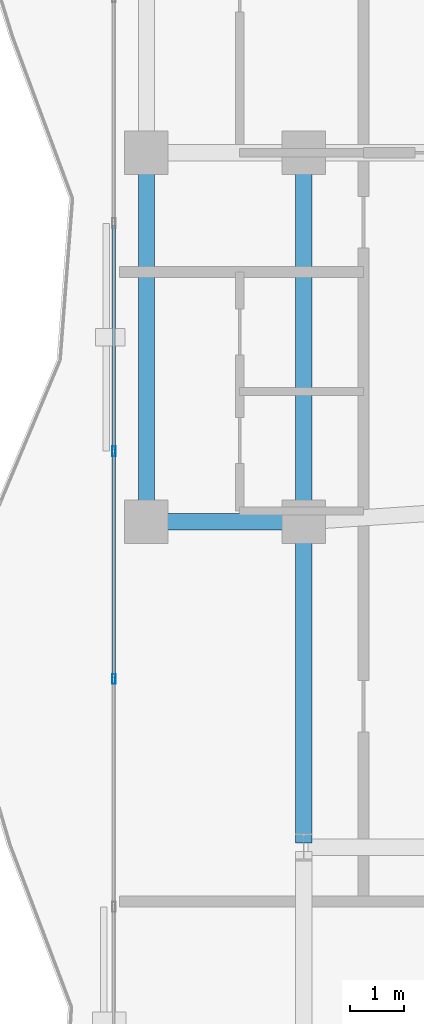
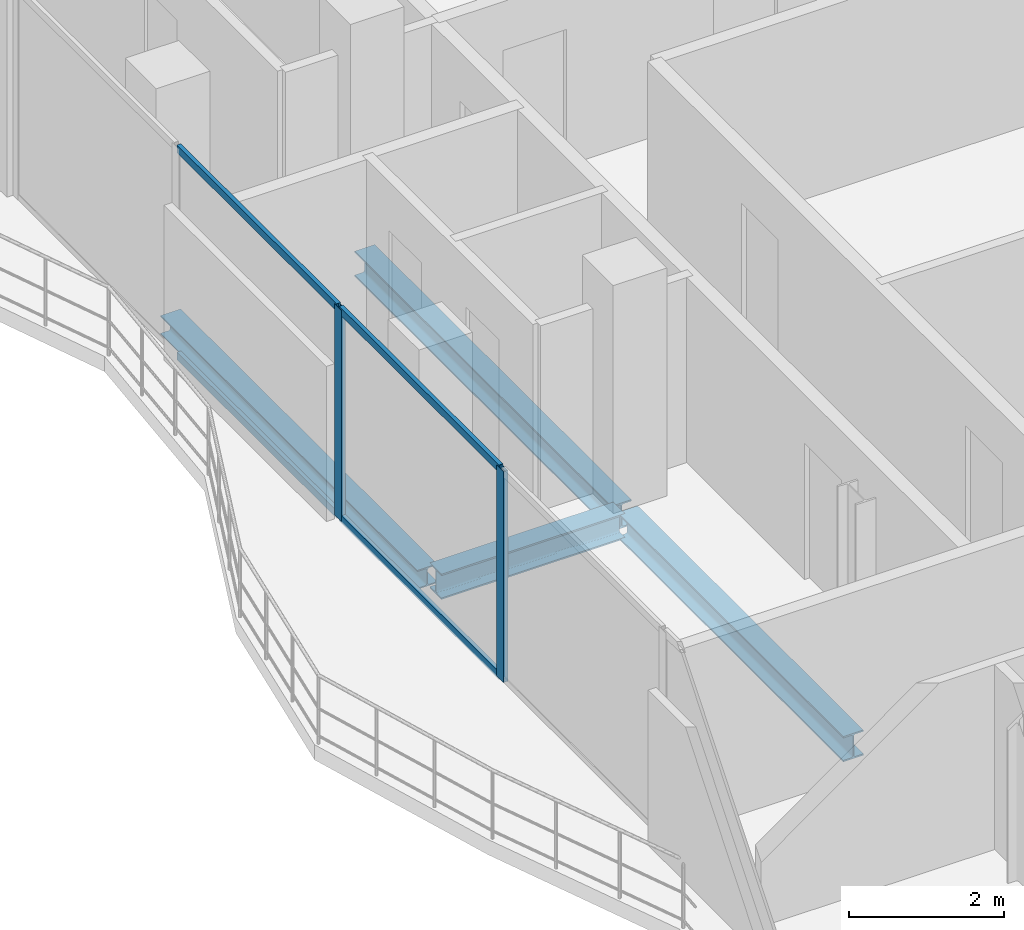
# One storey, part 7 of 23: 6 members, 4 beams, 1 element without a shape of its own.
"""IFC4 building model written with IfcOpenShell, lengths in metres."""

from ifc_helpers import new_model, si_unit, direction, frame, origin, origin_2d, place, context, subcontext, project, spatial, hollow_rectangle, i_section, extrude, material, layer, layer_set, material_profile, profile_set, type_object, element, aggregate, save


model = new_model("IFC4")

# Units and contexts
model_context = context("Model", 3, precision=1e-05, world=origin(), true_north=direction((0.0, 1.0)))
body_context = subcontext(model_context, "Body", "Model", "MODEL_VIEW")
ifc_project = project(units=[si_unit("LENGTHUNIT", "METRE"), si_unit("AREAUNIT", "SQUARE_METRE"), si_unit("VOLUMEUNIT", "CUBIC_METRE"), si_unit("PLANEANGLEUNIT", "RADIAN"), si_unit("MASSUNIT", "GRAM", prefix="KILO")], contexts=[model_context])

# Site, building, storey
site_placement = place(None, origin())
site = spatial("IfcSite", under=ifc_project, at=site_placement, CompositionType="ELEMENT")
building_placement = place(site_placement, origin())
building = spatial("IfcBuilding", under=site, at=building_placement, Name="Catumbela Crestline Tower", CompositionType="ELEMENT")
storey_placement = place(building_placement, frame((0.0, 0.0, 190.2)))
storey = spatial("IfcBuildingStorey", under=building, at=storey_placement, Name="L49", CompositionType="ELEMENT", Elevation=190.2)

# Beams
ifc_material_1 = material(Name="Structural steel S355J2", Category="steel")
ifc_material_profile_1 = material_profile(ifc_material_1, i_section(OverallWidth=0.3, OverallDepth=0.4, WebThickness=0.0135, FlangeThickness=0.024, FilletRadius=0.027, at=origin_2d()), Name="HEB 400")
ifc_profile_set_1 = profile_set([ifc_material_profile_1], Name="Structural steel S355J2")
beam_type_1 = type_object("IfcBeamType", Name="BG-HEB400", PredefinedType="BEAM", material=ifc_profile_set_1)
beam_1_placement = place(storey_placement, frame((5.68, 24.0, -0.46), z_axis=(1.0, 0.0, 0.0), x_axis=(0.0, 1.0, 0.0)))
element("IfcBeam", 1, at=beam_1_placement, inside=storey, type_object=beam_type_1, Name="L49 Beam BM-L49-S01", PredefinedType="BEAM", context=body_context, shape_type="SweptSolid", body=[
    extrude(i_section(OverallWidth=0.3, OverallDepth=0.4, WebThickness=0.0135, FlangeThickness=0.024, FilletRadius=0.027, at=origin_2d()), origin(), (0.0, 0.0, 1.0), 2.74),
])
beam_2_placement = place(storey_placement, frame((8.5, 24.08, -0.46), z_axis=(0.0, 1.0, 0.0), x_axis=(-1.0, 0.0, 0.0)))
element("IfcBeam", 2, at=beam_2_placement, inside=storey, type_object=beam_type_1, Name="L49 Beam BM-L49-SN16", PredefinedType="BEAM", context=body_context, shape_type="SweptSolid", body=[
    extrude(i_section(OverallWidth=0.3, OverallDepth=0.4, WebThickness=0.0135, FlangeThickness=0.024, FilletRadius=0.027, at=origin_2d()), origin(), (0.0, 0.0, 1.0), 6.64),
])
beam_3_placement = place(storey_placement, frame((8.5, 18.08, -0.46), z_axis=(0.0, 1.0, 0.0), x_axis=(-1.0, 0.0, 0.0)))
element("IfcBeam", 3, at=beam_3_placement, inside=storey, type_object=beam_type_1, Name="L49 Beam BM-L49-WNS39", PredefinedType="BEAM", context=body_context, shape_type="SweptSolid", body=[
    extrude(i_section(OverallWidth=0.3, OverallDepth=0.4, WebThickness=0.0135, FlangeThickness=0.024, FilletRadius=0.027, at=origin_2d()), origin(), (0.0, 0.0, 1.0), 5.84),
])

# Curtain wall, members
ifc_material_2 = material(Name="Aluminium alloy AW-6060-T66", Category="aluminium")
ifc_layer = layer(ifc_material_2, 0.18, Name="Aluminium alloy AW-6060-T66")
ifc_layer_set = layer_set([ifc_layer], Name="Aluminium alloy AW-6060-T66")
curtain_wall_type = type_object("IfcCurtainWallType", Name="CWU-Z3", PredefinedType="USERDEFINED", material=ifc_layer_set)
curtain_wall_placement = place(storey_placement, origin())
curtain_wall = element("IfcCurtainWall", 4, at=curtain_wall_placement, inside=storey, type_object=curtain_wall_type, Name="L49 Unitised Curtain Wall CW-L49-E9S2", ObjectType="UNITISED", PredefinedType="USERDEFINED")
ifc_material_profile_2 = material_profile(ifc_material_2, hollow_rectangle(XDim=0.065, YDim=0.18, WallThickness=0.004, at=origin_2d()), Name="ALU 180x65x4")
ifc_profile_set_2 = profile_set([ifc_material_profile_2], Name="Aluminium alloy AW-6060-T66")
member_type_1 = type_object("IfcMemberType", Name="MUL-180X65", PredefinedType="MULLION", material=ifc_profile_set_2)
member_1_placement = place(storey_placement, frame((5.0, 25.3, 0.0), z_axis=(0.0, 0.0, 1.0), x_axis=(1.0, 0.0, 0.0)))
member_1 = element("IfcMember", 5, at=member_1_placement, type_object=member_type_1, Name="CWU-Z3 mullion 3", PredefinedType="MULLION", context=body_context, shape_type="SweptSolid", body=[
    extrude(hollow_rectangle(XDim=0.065, YDim=0.18, WallThickness=0.004, at=origin_2d()), origin(), (0.0, 0.0, 1.0), 3.33),
])
member_2_placement = place(storey_placement, frame((5.0, 21.1, 0.0), z_axis=(0.0, 0.0, 1.0), x_axis=(1.0, 0.0, 0.0)))
member_2 = element("IfcMember", 6, at=member_2_placement, type_object=member_type_1, Name="CWU-Z3 mullion 4", PredefinedType="MULLION", context=body_context, shape_type="SweptSolid", body=[
    extrude(hollow_rectangle(XDim=0.065, YDim=0.18, WallThickness=0.004, at=origin_2d()), origin(), (0.0, 0.0, 1.0), 3.33),
])

# Beam
ifc_material_profile_3 = material_profile(ifc_material_1, i_section(OverallWidth=0.3, OverallDepth=0.3, WebThickness=0.011, FlangeThickness=0.019, FilletRadius=0.027, at=origin_2d()), Name="HEB 300")
ifc_profile_set_3 = profile_set([ifc_material_profile_3], Name="Structural steel S355J2")
beam_type_2 = type_object("IfcBeamType", Name="BS-HEB300", PredefinedType="SPANDREL", material=ifc_profile_set_3)
beam_4_placement = place(storey_placement, frame((5.6, 24.08, -0.41), z_axis=(0.0, 1.0, 0.0), x_axis=(-1.0, 0.0, 0.0)))
element("IfcBeam", 7, at=beam_4_placement, inside=storey, type_object=beam_type_2, Name="L49 Spandrel SP-L49-SN14", PredefinedType="SPANDREL", context=body_context, shape_type="SweptSolid", body=[
    extrude(i_section(OverallWidth=0.3, OverallDepth=0.3, WebThickness=0.011, FlangeThickness=0.019, FilletRadius=0.027, at=origin_2d()), origin(), (0.0, 0.0, 1.0), 6.64),
])

# Member
ifc_material_profile_4 = material_profile(ifc_material_2, hollow_rectangle(XDim=0.06, YDim=0.12, WallThickness=0.0035, at=origin_2d()), Name="ALU 120x60x3.5")
ifc_profile_set_4 = profile_set([ifc_material_profile_4], Name="Aluminium alloy AW-6060-T66")
member_type_2 = type_object("IfcMemberType", Name="TRN-120X60", PredefinedType="USERDEFINED", material=ifc_profile_set_4)
member_3_placement = place(storey_placement, frame((5.0, 29.4675, 0.03), z_axis=(0.0, -1.0, 0.0), x_axis=(1.0, 0.0, 0.0)))
member_3 = element("IfcMember", 8, at=member_3_placement, type_object=member_type_2, Name="CWU-Z3 transom 2.1", ObjectType="TRANSOM", PredefinedType="USERDEFINED", context=body_context, shape_type="SweptSolid", body=[
    extrude(hollow_rectangle(XDim=0.06, YDim=0.12, WallThickness=0.0035, at=origin_2d()), origin(), (0.0, 0.0, 1.0), 4.135),
])

member_4_placement = place(storey_placement, frame((5.0, 29.4675, 3.3), z_axis=(0.0, -1.0, 0.0), x_axis=(1.0, 0.0, 0.0)))
member_4 = element("IfcMember", 9, at=member_4_placement, type_object=member_type_2, Name="CWU-Z3 transom 2.2", ObjectType="TRANSOM", PredefinedType="USERDEFINED", context=body_context, shape_type="SweptSolid", body=[
    extrude(hollow_rectangle(XDim=0.06, YDim=0.12, WallThickness=0.0035, at=origin_2d()), origin(), (0.0, 0.0, 1.0), 4.135),
])

member_5_placement = place(storey_placement, frame((5.0, 25.2675, 0.03), z_axis=(0.0, -1.0, 0.0), x_axis=(1.0, 0.0, 0.0)))
member_5 = element("IfcMember", 10, at=member_5_placement, type_object=member_type_2, Name="CWU-Z3 transom 3.1", ObjectType="TRANSOM", PredefinedType="USERDEFINED", context=body_context, shape_type="SweptSolid", body=[
    extrude(hollow_rectangle(XDim=0.06, YDim=0.12, WallThickness=0.0035, at=origin_2d()), origin(), (0.0, 0.0, 1.0), 4.135),
])

member_6_placement = place(storey_placement, frame((5.0, 25.2675, 3.3), z_axis=(0.0, -1.0, 0.0), x_axis=(1.0, 0.0, 0.0)))
member_6 = element("IfcMember", 11, at=member_6_placement, type_object=member_type_2, Name="CWU-Z3 transom 3.2", ObjectType="TRANSOM", PredefinedType="USERDEFINED", context=body_context, shape_type="SweptSolid", body=[
    extrude(hollow_rectangle(XDim=0.06, YDim=0.12, WallThickness=0.0035, at=origin_2d()), origin(), (0.0, 0.0, 1.0), 4.135),
])

aggregate(curtain_wall, [member_1, member_2, member_3, member_4, member_5, member_6])

save(model, "model.ifc")
